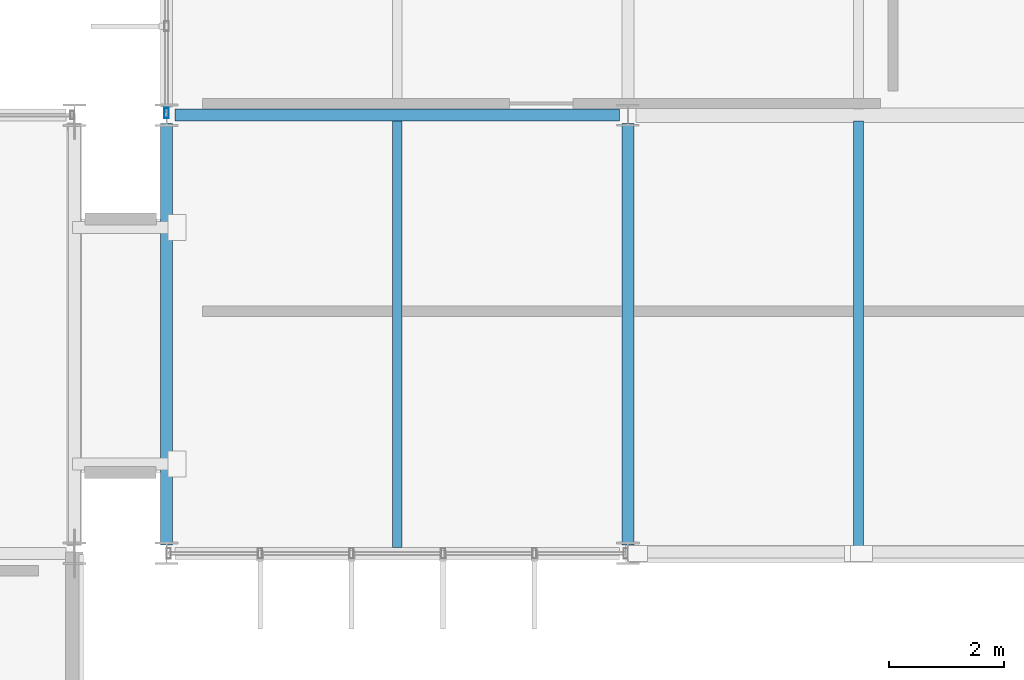
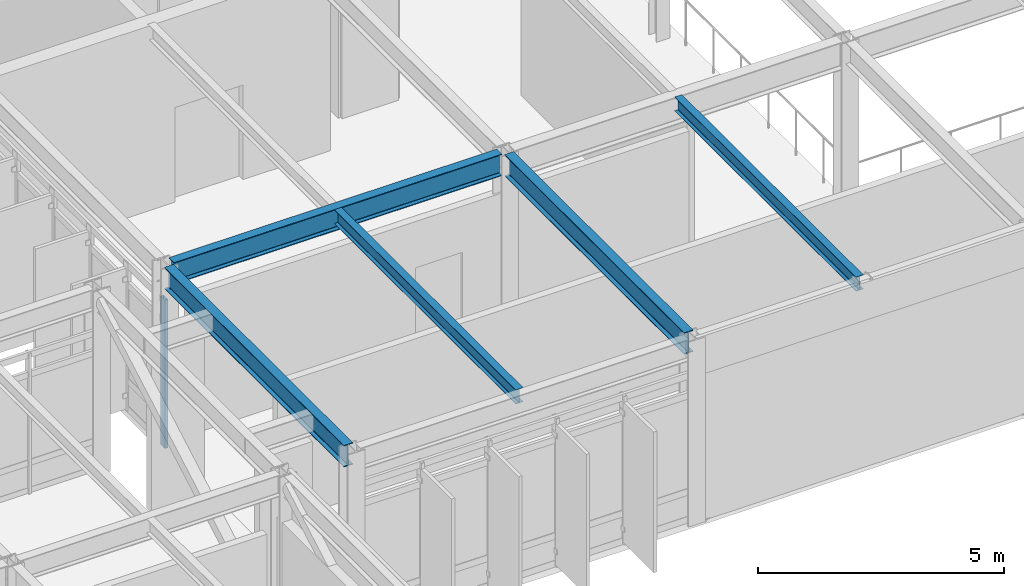
# One storey, part 36 of 104: 5 beams, 1 member, 1 element without a shape of its own.
"""IFC4 building model written with IfcOpenShell, lengths in metres."""

from ifc_helpers import new_model, si_unit, direction, frame, origin, origin_2d, place, context, subcontext, project, spatial, hollow_rectangle, i_section, extrude, material, material_profile, profile_set, type_object, element, aggregate, save


model = new_model("IFC4")

# Units and contexts
model_context = context("Model", 3, precision=1e-05, world=origin(), true_north=direction((0.0, 1.0)))
body_context = subcontext(model_context, "Body", "Model", "MODEL_VIEW")
ifc_project = project(units=[si_unit("LENGTHUNIT", "METRE"), si_unit("AREAUNIT", "SQUARE_METRE"), si_unit("VOLUMEUNIT", "CUBIC_METRE"), si_unit("PLANEANGLEUNIT", "RADIAN"), si_unit("MASSUNIT", "GRAM", prefix="KILO")], contexts=[model_context])

# Site, building, storey
site_placement = place(None, origin())
site = spatial("IfcSite", under=ifc_project, at=site_placement, CompositionType="ELEMENT")
building_placement = place(site_placement, origin())
building = spatial("IfcBuilding", under=site, at=building_placement, Name="Zulena Civic Courthouse", CompositionType="ELEMENT")
storey_placement = place(building_placement, frame((0.0, 0.0, 15.60009765625)))
storey = spatial("IfcBuildingStorey", under=building, at=storey_placement, Name="L03", CompositionType="ELEMENT", Elevation=15.60009765625)

# Curtain wall, member
ifc_material_1 = material(Name="Double-silver low-E laminated solar-control glass", Category="glass")
curtain_wall_type = type_object("IfcCurtainWallType", Name="CW_7528x3690", PredefinedType="USERDEFINED", material=ifc_material_1)
curtain_wall_placement = place(storey_placement, origin())
curtain_wall = element("IfcCurtainWall", 1, at=curtain_wall_placement, inside=storey, type_object=curtain_wall_type, Name="cw:V4:L03:0:1", ObjectType="UNITISED CURTAIN WALL", PredefinedType="USERDEFINED")
ifc_material_2 = material(Name="Bronze anodised thermally broken aluminium AA6063-T6", Category="aluminium")
ifc_material_profile_1 = material_profile(ifc_material_2, hollow_rectangle(XDim=0.074951171875, YDim=0.179931640625, WallThickness=0.0048828125, at=origin_2d()), Name="CWM180X75X5")
ifc_profile_set_1 = profile_set([ifc_material_profile_1], Name="Bronze anodised thermally broken aluminium AA6063-T6")
member_type = type_object("IfcMemberType", Name="CWMullion_180x75", PredefinedType="MULLION", material=ifc_profile_set_1)
member_placement = place(storey_placement, frame((68.0, 22.8359375, 0.0), z_axis=(0.0, 0.0, 1.0), x_axis=(1.0, 0.0, 0.0)))
member = element("IfcMember", 2, at=member_placement, type_object=member_type, Name="cw:V4:L03:0:1:mull:0", PredefinedType="MULLION", context=body_context, shape_type="SweptSolid", body=[
    extrude(hollow_rectangle(XDim=0.074951171875, YDim=0.179931640625, WallThickness=0.0048828125, at=origin_2d()), origin(), (0.0, 0.0, 1.0), 3.68994140625),
])
aggregate(curtain_wall, [member])

# Beams
ifc_material_3 = material(Name="Steel ASTM A992 Grade 50", Category="steel")
ifc_material_profile_2 = material_profile(ifc_material_3, i_section(OverallWidth=0.1708984375, OverallDepth=0.35205078125, WebThickness=0.0068359375, FlangeThickness=0.009765625, FilletRadius=0.01025390625, at=origin_2d()), Name="W14X30")
ifc_profile_set_2 = profile_set([ifc_material_profile_2], Name="Steel ASTM A992 Grade 50")
beam_type_1 = type_object("IfcBeamType", Name="Joist_W14X30", PredefinedType="JOIST", material=ifc_profile_set_2)
for number, where, z_axis, x_axis, name in (
    (3, (72.0, 15.304931640625, 4.413818359375), (0.0, 1.0, 0.0), (-1.0, 0.0, 0.0), "joist:V4:L03:72.00:15.2_22.8"),
    (4, (80.0, 15.304931640625, 4.413818359375), (0.0, 1.0, 0.0), (-1.0, 0.0, 0.0), "joist:V4:L03:80.00:15.2_22.8"),
):
    element("IfcBeam", number, at=place(storey_placement, frame(where, z_axis=z_axis, x_axis=x_axis)), inside=storey, type_object=beam_type_1, Name=name, PredefinedType="JOIST", context=body_context, shape_type="SweptSolid", body=[
        extrude(i_section(OverallWidth=0.1708984375, OverallDepth=0.35205078125, WebThickness=0.0068359375, FlangeThickness=0.009765625, FilletRadius=0.01025390625, at=origin_2d()), origin(), (0.0, 0.0, 1.0), 7.39013671875),
    ])
ifc_material_profile_3 = material_profile(ifc_material_3, i_section(OverallWidth=0.2099609375, OverallDepth=0.537109375, WebThickness=0.010986328125, FlangeThickness=0.017333984375, FilletRadius=0.0126953125, at=origin_2d()), Name="W21X68")
ifc_profile_set_3 = profile_set([ifc_material_profile_3], Name="Steel ASTM A992 Grade 50")
beam_type_2 = type_object("IfcBeamType", Name="Spandrel_W21X68", PredefinedType="SPANDREL", material=ifc_profile_set_3)
beam_placement = place(storey_placement, frame((68.14501953125, 22.800048828125, 4.3212890625), z_axis=(1.0, 0.0, 0.0), x_axis=(0.0, 1.0, 0.0)))
element("IfcBeam", 5, at=beam_placement, inside=storey, type_object=beam_type_2, Name="beam:X:V4:L03:22.8:68.0_76.0", PredefinedType="SPANDREL", context=body_context, shape_type="SweptSolid", body=[
    extrude(i_section(OverallWidth=0.2099609375, OverallDepth=0.537109375, WebThickness=0.010986328125, FlangeThickness=0.017333984375, FilletRadius=0.0126953125, at=origin_2d()), origin(), (0.0, 0.0, 1.0), 7.7099609375),
])
for number, where, z_axis, x_axis, name in (
    (6, (68.0, 15.344970703125, 4.3212890625), (0.0, 1.0, 0.0), (-1.0, 0.0, 0.0), "beam:Y:V4:L03:68.0:15.2_22.8"),
    (7, (76.0, 15.344970703125, 4.3212890625), (0.0, 1.0, 0.0), (-1.0, 0.0, 0.0), "beam:Y:V4:L03:76.0:15.2_22.8"),
):
    element("IfcBeam", number, at=place(storey_placement, frame(where, z_axis=z_axis, x_axis=x_axis)), inside=storey, type_object=beam_type_2, Name=name, PredefinedType="SPANDREL", context=body_context, shape_type="SweptSolid", body=[
        extrude(i_section(OverallWidth=0.2099609375, OverallDepth=0.537109375, WebThickness=0.010986328125, FlangeThickness=0.017333984375, FilletRadius=0.0126953125, at=origin_2d()), origin(), (0.0, 0.0, 1.0), 7.31005859375),
    ])

save(model, "model.ifc")
